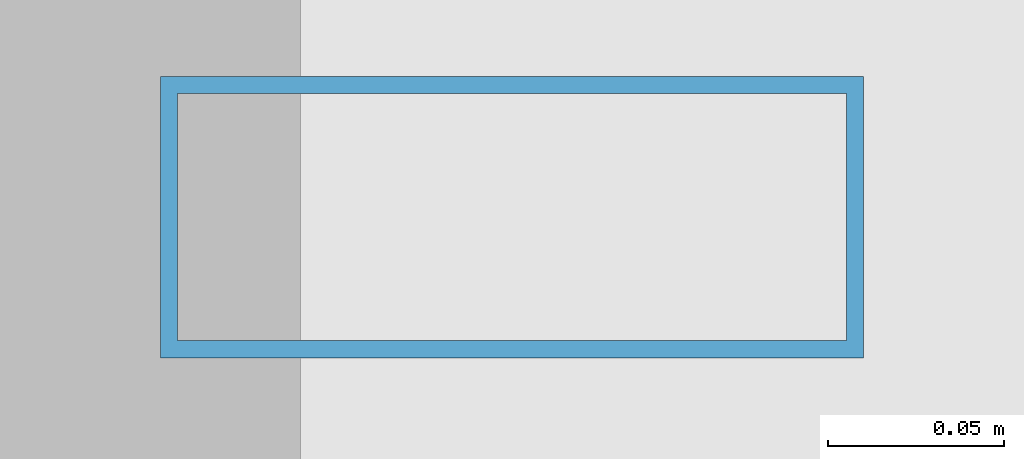
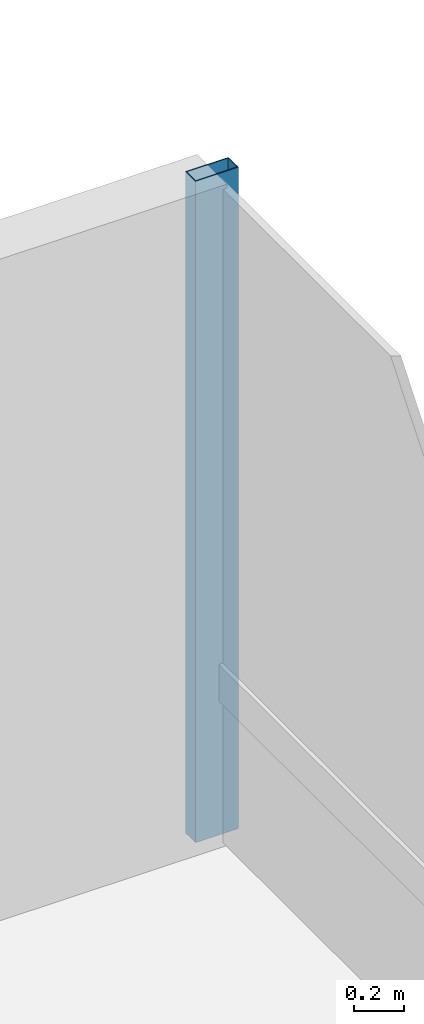
# One storey, part 26 of 34: 1 member, 1 element without a shape of its own.
"""IFC4 building model written with IfcOpenShell, lengths in metres."""

from ifc_helpers import new_model, si_unit, direction, frame, origin, origin_2d, place, context, subcontext, project, spatial, hollow_rectangle, extrude, material, layer, layer_set, material_profile, profile_set, type_object, element, aggregate, save


model = new_model("IFC4")

# Units and contexts
model_context = context("Model", 3, precision=1e-05, world=origin(), true_north=direction((0.0, 1.0)))
body_context = subcontext(model_context, "Body", "Model", "MODEL_VIEW")
ifc_project = project(units=[si_unit("LENGTHUNIT", "METRE"), si_unit("AREAUNIT", "SQUARE_METRE"), si_unit("VOLUMEUNIT", "CUBIC_METRE"), si_unit("PLANEANGLEUNIT", "RADIAN"), si_unit("MASSUNIT", "GRAM", prefix="KILO")], contexts=[model_context])

# Site, building, storey
site_placement = place(None, origin())
site = spatial("IfcSite", under=ifc_project, at=site_placement, CompositionType="ELEMENT")
building_placement = place(site_placement, origin())
building = spatial("IfcBuilding", under=site, at=building_placement, Name="Drelvath Grand Hotel", CompositionType="ELEMENT")
storey_placement = place(building_placement, frame((0.0, 0.0, 112.800048828125)))
storey = spatial("IfcBuildingStorey", under=building, at=storey_placement, Name="L28", CompositionType="ELEMENT", Elevation=112.800048828125)

# Curtain wall, member
ifc_material = material(Name="Champagne Bronze Anodised Aluminium Frame", Category="aluminium")
ifc_layer = layer(ifc_material, 0.199951171875)
ifc_layer_set = layer_set([ifc_layer], Name="Champagne Bronze Anodised Aluminium Frame")
curtain_wall_type = type_object("IfcCurtainWallType", Name="Stick Curtain Wall CW-03 Champagne Bronze Mid-Rise", PredefinedType="NOTDEFINED", material=ifc_layer_set)
curtain_wall_placement = place(storey_placement, origin())
curtain_wall = element("IfcCurtainWall", 1, at=curtain_wall_placement, inside=storey, type_object=curtain_wall_type, Name="L28 CW-03 Curtain Wall CW03-L28-EN3", PredefinedType="NOTDEFINED")
ifc_material_profile = material_profile(ifc_material, hollow_rectangle(XDim=0.080078125, YDim=0.199951171875, WallThickness=0.0048828125, at=origin_2d()), Name="HSS200X80X5")
ifc_profile_set = profile_set([ifc_material_profile], Name="Champagne Bronze Anodised Aluminium Frame")
member_type = type_object("IfcMemberType", Name="Curtain Wall Vertical Mullion CW-03 HSS200X80X5", PredefinedType="MULLION", material=ifc_profile_set)
member_placement = place(storey_placement, frame((22.080078125, 49.5, 0.0), z_axis=(0.0, 0.0, 1.0), x_axis=(0.0, 1.0, 0.0)))
member = element("IfcMember", 2, at=member_placement, type_object=member_type, Name="CW03-L28-EN3 Mullion 1", PredefinedType="MULLION", context=body_context, shape_type="SweptSolid", body=[
    extrude(hollow_rectangle(XDim=0.080078125, YDim=0.199951171875, WallThickness=0.0048828125, at=origin_2d()), origin(), (0.0, 0.0, 1.0), 3.239990234375),
])
aggregate(curtain_wall, [member])

save(model, "model.ifc")
